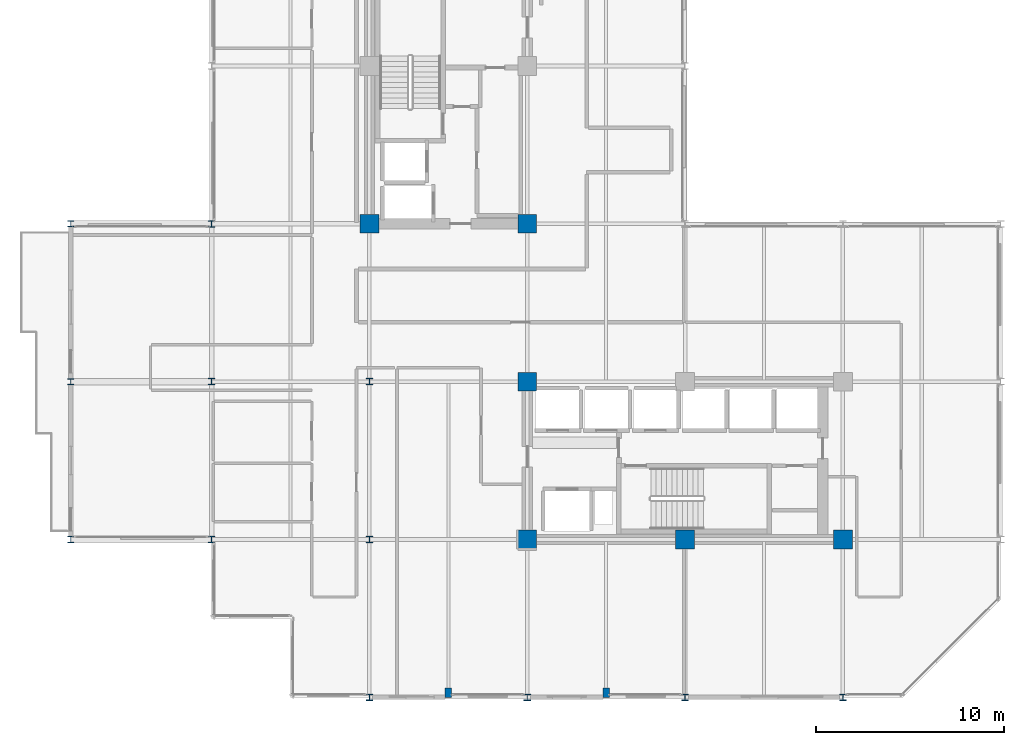
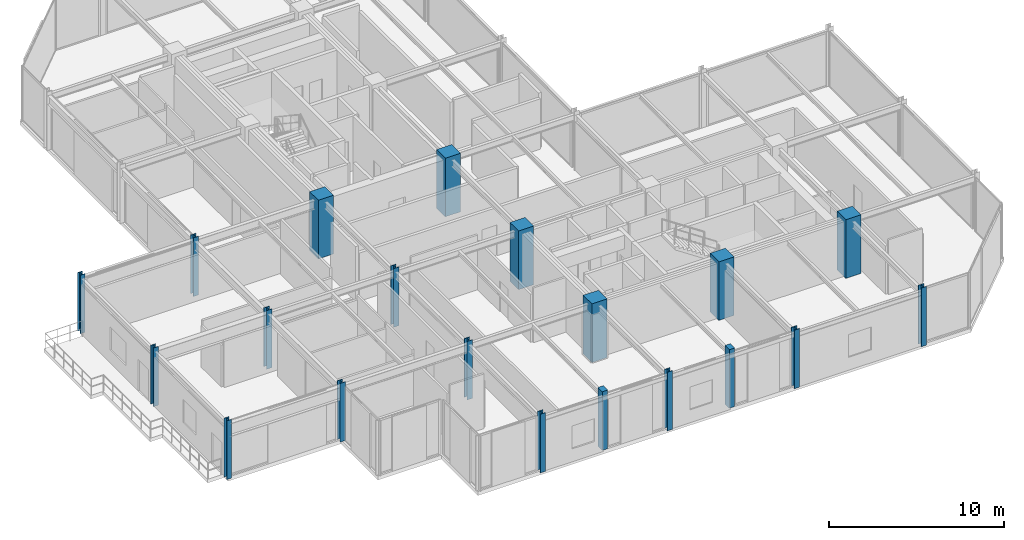
# One storey, part 1 of 29: 20 columns.
"""IFC4 building model written with IfcOpenShell, lengths in metres."""

from ifc_helpers import new_model, si_unit, direction, frame, origin, origin_2d, place, context, subcontext, project, spatial, rectangle, i_section, extrude, material, material_profile, profile_set, type_object, element, save


model = new_model("IFC4")

# Units and contexts
model_context = context("Model", 3, precision=1e-05, world=origin(), true_north=direction((0.0, 1.0)))
body_context = subcontext(model_context, "Body", "Model", "MODEL_VIEW")
ifc_project = project(units=[si_unit("LENGTHUNIT", "METRE"), si_unit("AREAUNIT", "SQUARE_METRE"), si_unit("VOLUMEUNIT", "CUBIC_METRE"), si_unit("PLANEANGLEUNIT", "RADIAN"), si_unit("MASSUNIT", "GRAM", prefix="KILO")], contexts=[model_context])

# Site, building, storey
site_placement = place(None, origin())
site = spatial("IfcSite", under=ifc_project, at=site_placement, CompositionType="ELEMENT")
building_placement = place(site_placement, origin())
building = spatial("IfcBuilding", under=site, at=building_placement, Name="Nerrivon Quay Data Exchange", CompositionType="ELEMENT")
storey_placement = place(building_placement, frame((0.0, 0.0, 187.800048828125)))
storey = spatial("IfcBuildingStorey", under=building, at=storey_placement, Name="L44", CompositionType="ELEMENT", Elevation=187.800048828125)

# Columns
ifc_material_1 = material(Name="Concrete S65 (65 MPa)", Category="concrete")
ifc_material_profile_1 = material_profile(ifc_material_1, rectangle(XDim=1.0, YDim=1.0, at=origin_2d()), Name="RC-COL-1000x1000")
ifc_profile_set_1 = profile_set([ifc_material_profile_1], Name="Concrete S65 (65 MPa)")
column_type_1 = type_object("IfcColumnType", Name="COL-C4-1000", PredefinedType="COLUMN", material=ifc_profile_set_1)
for number, where, z_axis, x_axis, name in (
    (1, (8.39990234375, 25.199951171875, 0.0), (0.0, 0.0, 1.0), (1.0, 0.0, 0.0), "L44 Column (8.4,25.2)"),
    (2, (16.800048828125, 8.39990234375, 0.0), (0.0, 0.0, 1.0), (1.0, 0.0, 0.0), "L44 Column (16.8,8.4)"),
    (3, (16.800048828125, 16.800048828125, 0.0), (0.0, 0.0, 1.0), (1.0, 0.0, 0.0), "L44 Column (16.8,16.8)"),
    (4, (16.800048828125, 25.199951171875, 0.0), (0.0, 0.0, 1.0), (1.0, 0.0, 0.0), "L44 Column (16.8,25.2)"),
    (5, (25.199951171875, 8.39990234375, 0.0), (0.0, 0.0, 1.0), (1.0, 0.0, 0.0), "L44 Column (25.2,8.4)"),
    (6, (33.60009765625, 8.39990234375, 0.0), (0.0, 0.0, 1.0), (1.0, 0.0, 0.0), "L44 Column (33.6,8.4)"),
):
    element("IfcColumn", number, at=place(storey_placement, frame(where, z_axis=z_axis, x_axis=x_axis)), inside=storey, type_object=column_type_1, Name=name, PredefinedType="COLUMN", context=body_context, shape_type="SweptSolid", body=[
        extrude(rectangle(XDim=1.0, YDim=1.0, at=origin_2d()), origin(), (0.0, 0.0, 1.0), 4.099853515625),
    ])
ifc_material_2 = material(Name="Steel Grade 350", Category="steel")
ifc_material_profile_2 = material_profile(ifc_material_2, i_section(OverallWidth=0.35009765625, OverallDepth=0.35009765625, WebThickness=0.02001953125, FlangeThickness=0.031982421875, at=origin_2d()), Name="350WC230")
ifc_profile_set_2 = profile_set([ifc_material_profile_2], Name="Steel Grade 350")
column_type_2 = type_object("IfcColumnType", Name="COL-SC3-350WC", PredefinedType="COLUMN", material=ifc_profile_set_2)
for number, where, z_axis, x_axis, name in (
    (7, (0.0, 8.39990234375, 0.0), (0.0, 0.0, 1.0), (1.0, 0.0, 0.0), "L44 Column (0.0,8.4)"),
    (8, (0.0, 16.800048828125, 0.0), (0.0, 0.0, 1.0), (1.0, 0.0, 0.0), "L44 Column (0.0,16.8)"),
    (9, (0.0, 25.199951171875, 0.0), (0.0, 0.0, 1.0), (1.0, 0.0, 0.0), "L44 Column (0.0,25.2)"),
    (10, (8.39990234375, 0.0, 0.0), (0.0, 0.0, 1.0), (1.0, 0.0, 0.0), "L44 Column (8.4,0.0)"),
    (11, (8.39990234375, 8.39990234375, 0.0), (0.0, 0.0, 1.0), (1.0, 0.0, 0.0), "L44 Column (8.4,8.4)"),
    (12, (8.39990234375, 16.800048828125, 0.0), (0.0, 0.0, 1.0), (1.0, 0.0, 0.0), "L44 Column (8.4,16.8)"),
    (13, (16.800048828125, 0.0, 0.0), (0.0, 0.0, 1.0), (1.0, 0.0, 0.0), "L44 Column (16.8,0.0)"),
    (14, (25.199951171875, 0.0, 0.0), (0.0, 0.0, 1.0), (1.0, 0.0, 0.0), "L44 Column (25.2,0.0)"),
    (15, (33.60009765625, 0.0, 0.0), (0.0, 0.0, 1.0), (1.0, 0.0, 0.0), "L44 Column (33.6,0.0)"),
):
    element("IfcColumn", number, at=place(storey_placement, frame(where, z_axis=z_axis, x_axis=x_axis)), inside=storey, type_object=column_type_2, Name=name, PredefinedType="COLUMN", context=body_context, shape_type="SweptSolid", body=[
        extrude(i_section(OverallWidth=0.35009765625, OverallDepth=0.35009765625, WebThickness=0.02001953125, FlangeThickness=0.031982421875, at=origin_2d()), origin(), (0.0, 0.0, 1.0), 4.099853515625),
    ])
ifc_material_profile_3 = material_profile(ifc_material_2, i_section(OverallWidth=0.31103515625, OverallDepth=0.326904296875, WebThickness=0.015625, FlangeThickness=0.02490234375, FilletRadius=0.0166015625, at=origin_2d()), Name="310UC158")
ifc_profile_set_3 = profile_set([ifc_material_profile_3], Name="Steel Grade 350")
column_type_3 = type_object("IfcColumnType", Name="COL-SC4-310UC158", PredefinedType="COLUMN", material=ifc_profile_set_3)
for number, where, z_axis, x_axis, name in (
    (16, (-7.5, 8.39990234375, 0.0), (0.0, 0.0, 1.0), (1.0, 0.0, 0.0), "L44 West Hooked Post (-7.5,8.4)"),
    (17, (-7.5, 16.800048828125, 0.0), (0.0, 0.0, 1.0), (1.0, 0.0, 0.0), "L44 West Hooked Post (-7.5,16.8)"),
    (18, (-7.5, 25.199951171875, 0.0), (0.0, 0.0, 1.0), (1.0, 0.0, 0.0), "L44 West Hooked Post (-7.5,25.2)"),
):
    element("IfcColumn", number, at=place(storey_placement, frame(where, z_axis=z_axis, x_axis=x_axis)), inside=storey, type_object=column_type_3, Name=name, PredefinedType="COLUMN", context=body_context, shape_type="SweptSolid", body=[
        extrude(i_section(OverallWidth=0.31103515625, OverallDepth=0.326904296875, WebThickness=0.015625, FlangeThickness=0.02490234375, FilletRadius=0.0166015625, at=origin_2d()), origin(), (0.0, 0.0, 1.0), 4.099853515625),
    ])
ifc_material_3 = material(Name="Concrete N50 (50 MPa)", Category="concrete")
ifc_material_profile_4 = material_profile(ifc_material_3, rectangle(XDim=0.35009765625, YDim=0.5, at=origin_2d()), Name="RC-PIL-500x350")
ifc_profile_set_4 = profile_set([ifc_material_profile_4], Name="Concrete N50 (50 MPa)")
column_type_4 = type_object("IfcColumnType", Name="PIL-P2-500x350", PredefinedType="PILASTER", material=ifc_profile_set_4)
for number, where, z_axis, x_axis, name in (
    (19, (12.60009765625, 0.25, 0.0), (0.0, 0.0, 1.0), (1.0, 0.0, 0.0), "L44 Facade Pilaster (12.6)"),
    (20, (21.0, 0.25, 0.0), (0.0, 0.0, 1.0), (1.0, 0.0, 0.0), "L44 Facade Pilaster (21.0)"),
):
    element("IfcColumn", number, at=place(storey_placement, frame(where, z_axis=z_axis, x_axis=x_axis)), inside=storey, type_object=column_type_4, Name=name, PredefinedType="PILASTER", context=body_context, shape_type="SweptSolid", body=[
        extrude(rectangle(XDim=0.35009765625, YDim=0.5, at=origin_2d()), origin(), (0.0, 0.0, 1.0), 4.099853515625),
    ])

save(model, "model.ifc")
